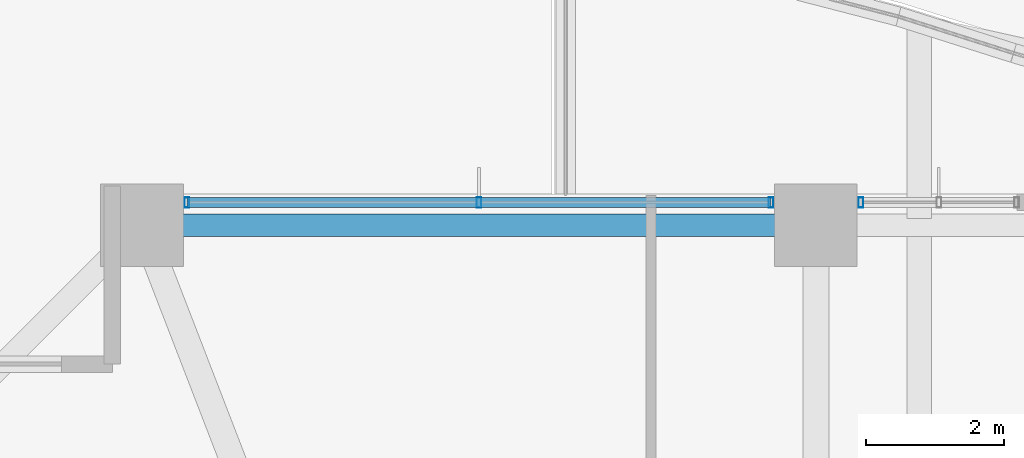
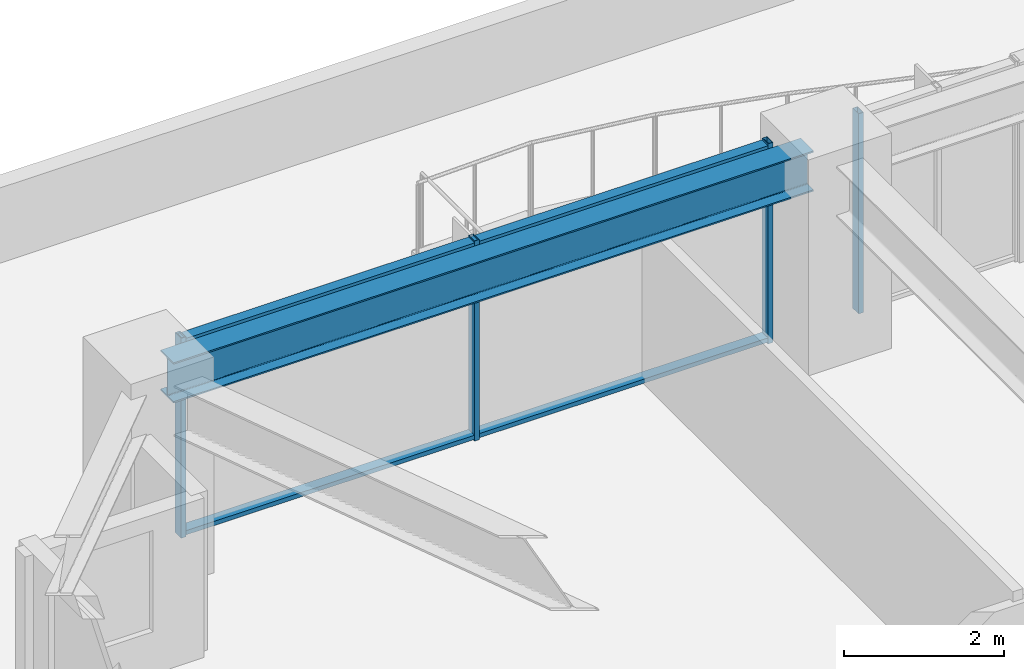
# One storey, part 20 of 36: 6 members, 1 beam, 2 elements without a shape of their own.
"""IFC4 building model written with IfcOpenShell, lengths in metres."""

from ifc_helpers import new_model, si_unit, direction, frame, origin, origin_2d, place, context, subcontext, project, spatial, hollow_rectangle, i_section, extrude, material, material_profile, profile_set, type_object, element, aggregate, save


model = new_model("IFC4")

# Units and contexts
model_context = context("Model", 3, precision=1e-05, world=origin(), true_north=direction((0.0, 1.0)))
body_context = subcontext(model_context, "Body", "Model", "MODEL_VIEW")
ifc_project = project(units=[si_unit("LENGTHUNIT", "METRE"), si_unit("AREAUNIT", "SQUARE_METRE"), si_unit("VOLUMEUNIT", "CUBIC_METRE"), si_unit("PLANEANGLEUNIT", "RADIAN"), si_unit("MASSUNIT", "GRAM", prefix="KILO")], contexts=[model_context])

# Site, building, storey
site_placement = place(None, origin())
site = spatial("IfcSite", under=ifc_project, at=site_placement, CompositionType="ELEMENT")
building_placement = place(site_placement, origin())
building = spatial("IfcBuilding", under=site, at=building_placement, Name="Kolvaren Belvedere", CompositionType="ELEMENT")
storey_placement = place(building_placement, frame((0.0, 0.0, 23.800048828125)))
storey = spatial("IfcBuildingStorey", under=building, at=storey_placement, Name="L06", CompositionType="ELEMENT", Elevation=23.800048828125)

# Beam
ifc_material_1 = material(Name="Structural steel ASTM A992 Grade 50", Category="steel")
ifc_material_profile_1 = material_profile(ifc_material_1, i_section(OverallWidth=0.324951171875, OverallDepth=0.615966796875, WebThickness=0.013916015625, FlangeThickness=0.021484375, FilletRadius=0.02001953125, at=origin_2d()), Name="W24X117")
ifc_profile_set_1 = profile_set([ifc_material_profile_1], Name="Structural steel ASTM A992 Grade 50")
beam_type = type_object("IfcBeamType", Name="BM-SPAN-W24X117", PredefinedType="SPANDREL", material=ifc_profile_set_1)
beam_placement = place(storey_placement, frame((-4.8701171875, 21.550048828125, 2.751953125), z_axis=(-1.0, 0.0, 0.0), x_axis=(0.0, -1.0, 0.0)))
element("IfcBeam", 1, at=beam_placement, inside=storey, type_object=beam_type, Name="L06 Perimeter Spandrel N2-N1", PredefinedType="SPANDREL", context=body_context, shape_type="SweptSolid", body=[
    extrude(i_section(OverallWidth=0.324951171875, OverallDepth=0.615966796875, WebThickness=0.013916015625, FlangeThickness=0.021484375, FilletRadius=0.02001953125, at=origin_2d()), origin(), (0.0, 0.0, 1.0), 9.259765625),
])

# Curtain wall, members
ifc_material_2 = material(Name="Anodised pale-metal aluminium AA 6063-T6", Category="aluminium")
curtain_wall_type = type_object("IfcCurtainWallType", Name="CW-Z1-LOW", PredefinedType="NOTDEFINED", material=ifc_material_2)
curtain_wall_1_placement = place(storey_placement, origin())
curtain_wall_1 = element("IfcCurtainWall", 2, at=curtain_wall_1_placement, inside=storey, type_object=curtain_wall_type, Name="L06 Unitised Curtain Wall FCW-L06-N1-B1", PredefinedType="NOTDEFINED")
ifc_material_3 = material(Name="Anodised pale-metal aluminium AA 6063-T6", Category="aluminium")
ifc_material_profile_2 = material_profile(ifc_material_3, hollow_rectangle(XDim=0.070068359375, YDim=0.14990234375, WallThickness=0.004150390625, at=origin_2d()), Name="ALU-MUL-150X70")
ifc_profile_set_2 = profile_set([ifc_material_profile_2], Name="Anodised pale-metal aluminium AA 6063-T6")
member_type_1 = type_object("IfcMemberType", Name="CW-MUL-150", PredefinedType="MULLION", material=ifc_profile_set_2)
member_1_placement = place(storey_placement, frame((-13.7451171875, 21.8798828125, 0.0), z_axis=(0.0, 0.0, 1.0), x_axis=(1.0, 0.0, 0.0)))
member_1 = element("IfcMember", 3, at=member_1_placement, type_object=member_type_1, Name="FCW-L06-N1-B1 Unitised Mullion 1", PredefinedType="MULLION", context=body_context, shape_type="SweptSolid", body=[
    extrude(hollow_rectangle(XDim=0.070068359375, YDim=0.14990234375, WallThickness=0.004150390625, at=origin_2d()), origin(), (0.0, 0.0, 1.0), 3.06005859375),
])
member_2_placement = place(storey_placement, frame((-9.5, 21.8798828125, 0.0), z_axis=(0.0, 0.0, 1.0), x_axis=(1.0, 0.0, 0.0)))
member_2 = element("IfcMember", 4, at=member_2_placement, type_object=member_type_1, Name="FCW-L06-N1-B1 Unitised Mullion 2", PredefinedType="MULLION", context=body_context, shape_type="SweptSolid", body=[
    extrude(hollow_rectangle(XDim=0.070068359375, YDim=0.14990234375, WallThickness=0.004150390625, at=origin_2d()), origin(), (0.0, 0.0, 1.0), 3.06005859375),
])
member_3_placement = place(storey_placement, frame((-5.2548828125, 21.8798828125, 0.0), z_axis=(0.0, 0.0, 1.0), x_axis=(1.0, 0.0, 0.0)))
member_3 = element("IfcMember", 5, at=member_3_placement, type_object=member_type_1, Name="FCW-L06-N1-B1 Unitised Mullion 3", PredefinedType="MULLION", context=body_context, shape_type="SweptSolid", body=[
    extrude(hollow_rectangle(XDim=0.070068359375, YDim=0.14990234375, WallThickness=0.004150390625, at=origin_2d()), origin(), (0.0, 0.0, 1.0), 3.06005859375),
])

# Curtain wall, member
curtain_wall_2_placement = place(storey_placement, origin())
curtain_wall_2 = element("IfcCurtainWall", 6, at=curtain_wall_2_placement, inside=storey, type_object=curtain_wall_type, Name="L06 Unitised Curtain Wall FCW-L06-N1-B2", PredefinedType="NOTDEFINED")
member_4_placement = place(storey_placement, frame((-3.945068359375, 21.8798828125, 0.0), z_axis=(0.0, 0.0, 1.0), x_axis=(1.0, 0.0, 0.0)))
member_4 = element("IfcMember", 7, at=member_4_placement, type_object=member_type_1, Name="FCW-L06-N1-B2 Unitised Mullion 1", PredefinedType="MULLION", context=body_context, shape_type="SweptSolid", body=[
    extrude(hollow_rectangle(XDim=0.070068359375, YDim=0.14990234375, WallThickness=0.004150390625, at=origin_2d()), origin(), (0.0, 0.0, 1.0), 3.06005859375),
])
aggregate(curtain_wall_2, [member_4])

# Member
ifc_material_4 = material(Name="Anodised pale-metal aluminium AA 6063-T6", Category="aluminium")
ifc_material_profile_3 = material_profile(ifc_material_4, hollow_rectangle(XDim=0.06494140625, YDim=0.14990234375, WallThickness=0.00390625, at=origin_2d()), Name="ALU-TRN-150X65")
ifc_profile_set_3 = profile_set([ifc_material_profile_3], Name="Anodised pale-metal aluminium AA 6063-T6")
member_type_2 = type_object("IfcMemberType", Name="CW-TRN-150", PredefinedType="USERDEFINED", material=ifc_profile_set_3)
member_5_placement = place(storey_placement, frame((-13.7451171875, 21.8798828125, 0.06005859375), z_axis=(1.0, 0.0, 0.0), x_axis=(0.0, 0.0, 1.0)))
member_5 = element("IfcMember", 8, at=member_5_placement, type_object=member_type_2, Name="FCW-L06-N1-B1 Sill Transom", ObjectType="TRANSOM", PredefinedType="USERDEFINED", context=body_context, shape_type="SweptSolid", body=[
    extrude(hollow_rectangle(XDim=0.06494140625, YDim=0.14990234375, WallThickness=0.00390625, at=origin_2d()), origin(), (0.0, 0.0, 1.0), 8.490234375),
])

member_6_placement = place(storey_placement, frame((-13.7451171875, 21.8798828125, 3.0), z_axis=(1.0, 0.0, 0.0), x_axis=(0.0, 0.0, 1.0)))
member_6 = element("IfcMember", 9, at=member_6_placement, type_object=member_type_2, Name="FCW-L06-N1-B1 Head Transom", ObjectType="TRANSOM", PredefinedType="USERDEFINED", context=body_context, shape_type="SweptSolid", body=[
    extrude(hollow_rectangle(XDim=0.06494140625, YDim=0.14990234375, WallThickness=0.00390625, at=origin_2d()), origin(), (0.0, 0.0, 1.0), 8.490234375),
])

aggregate(curtain_wall_1, [member_1, member_2, member_3, member_5, member_6])

save(model, "model.ifc")
